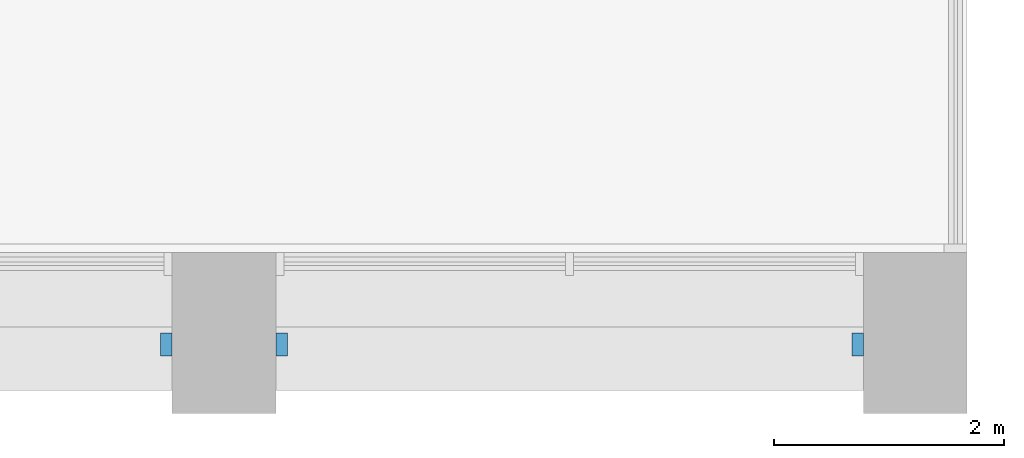
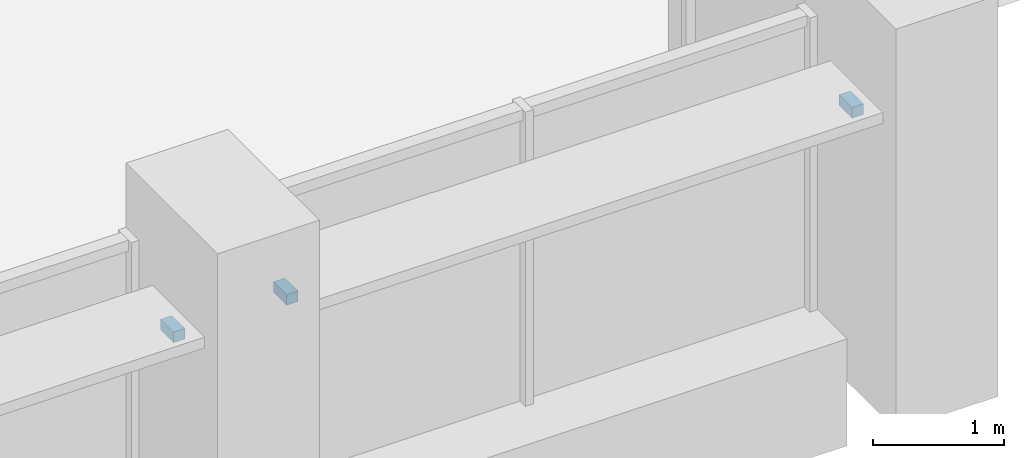
# One storey, part 15 of 17: 3 discrete accessories.
"""IFC4 building model written with IfcOpenShell, lengths in metres."""

from ifc_helpers import new_model, si_unit, direction, frame, origin, origin_2d, place, context, subcontext, project, spatial, rectangle, extrude, element, save


model = new_model("IFC4")

# Units and contexts
model_context = context("Model", 3, precision=1e-05, world=origin(), true_north=direction((0.0, 1.0)))
body_context = subcontext(model_context, "Body", "Model", "MODEL_VIEW")
ifc_project = project(units=[si_unit("LENGTHUNIT", "METRE"), si_unit("AREAUNIT", "SQUARE_METRE"), si_unit("VOLUMEUNIT", "CUBIC_METRE"), si_unit("PLANEANGLEUNIT", "RADIAN"), si_unit("MASSUNIT", "GRAM", prefix="KILO")], contexts=[model_context])

# Site, building, storey
site_placement = place(None, origin())
site = spatial("IfcSite", under=ifc_project, at=site_placement, CompositionType="ELEMENT")
building_placement = place(site_placement, origin())
building = spatial("IfcBuilding", under=site, at=building_placement, Name="Calvaro Tower", CompositionType="ELEMENT")
storey_placement = place(building_placement, frame((0.0, 0.0, 98.75)))
storey = spatial("IfcBuildingStorey", under=building, at=storey_placement, Name="L24", CompositionType="ELEMENT", Elevation=98.75)

# Discrete accessories
for number, where, z_axis, x_axis, name in (
    (1, (59.5, 2.10009765625, 2.25), (0.0, 0.0, 1.0), (1.0, 0.0, 0.0), "Brise-soleil bracket"),
    (2, (60.5, 2.10009765625, 2.25), (0.0, 0.0, 1.0), (1.0, 0.0, 0.0), "Brise-soleil bracket"),
    (3, (65.5, 2.10009765625, 2.25), (0.0, 0.0, 1.0), (1.0, 0.0, 0.0), "Brise-soleil bracket"),
):
    element("IfcDiscreteAccessory", number, at=place(storey_placement, frame(where, z_axis=z_axis, x_axis=x_axis)), inside=storey, Name=name, PredefinedType="BRACKET", context=body_context, shape_type="SweptSolid", body=[
        extrude(rectangle(XDim=0.10009765625, YDim=0.199951171875, at=origin_2d()), origin(), (0.0, 0.0, 1.0), 0.10009765625),
    ])

save(model, "model.ifc")
